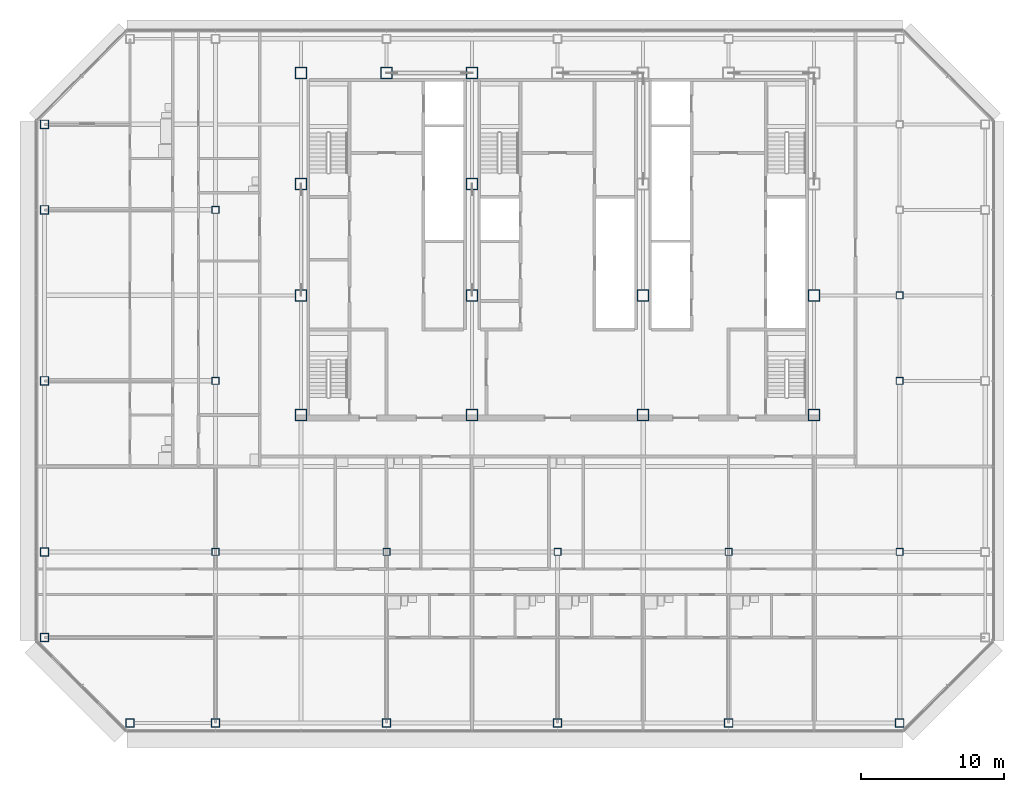
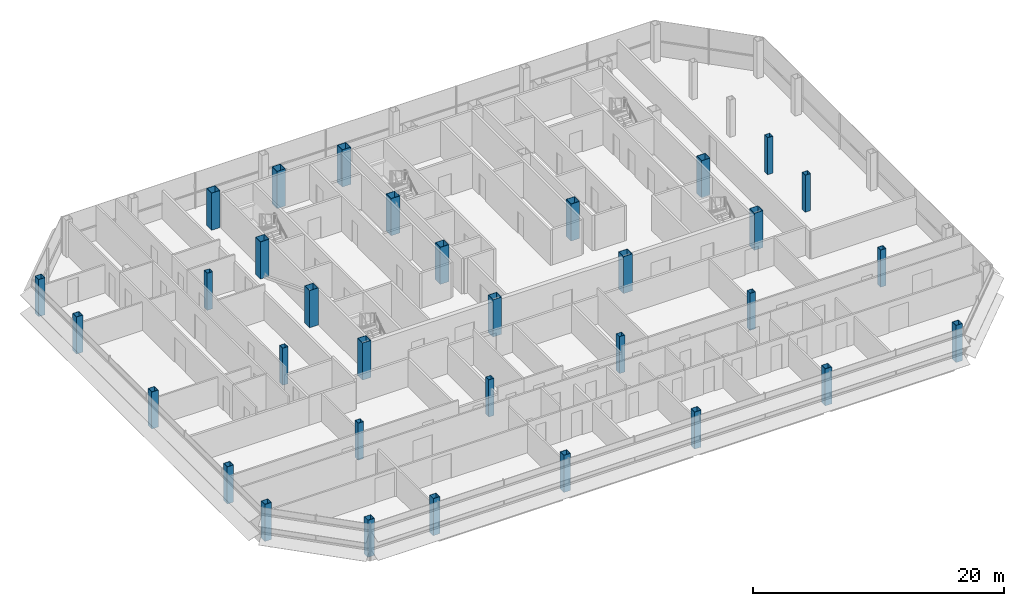
# One storey, part 1 of 28: 33 columns.
"""IFC4 building model written with IfcOpenShell, lengths in metres."""

from ifc_helpers import new_model, si_unit, direction, frame, origin, origin_2d, place, context, subcontext, project, spatial, hollow_rectangle, extrude, material, material_profile, profile_set, type_object, element, save


model = new_model("IFC4")

# Units and contexts
model_context = context("Model", 3, precision=1e-05, world=origin(), true_north=direction((0.0, 1.0)))
body_context = subcontext(model_context, "Body", "Model", "MODEL_VIEW")
ifc_project = project(units=[si_unit("LENGTHUNIT", "METRE"), si_unit("AREAUNIT", "SQUARE_METRE"), si_unit("VOLUMEUNIT", "CUBIC_METRE"), si_unit("PLANEANGLEUNIT", "RADIAN"), si_unit("MASSUNIT", "GRAM", prefix="KILO")], contexts=[model_context])

# Site, building, storey
site_placement = place(None, origin())
site = spatial("IfcSite", under=ifc_project, at=site_placement, CompositionType="ELEMENT")
building_placement = place(site_placement, origin())
building = spatial("IfcBuilding", under=site, at=building_placement, Name="Sorahane Residences", CompositionType="ELEMENT")
storey_placement = place(building_placement, frame((0.0, 0.0, 250.39990234375)))
storey = spatial("IfcBuildingStorey", under=building, at=storey_placement, Name="L59", CompositionType="ELEMENT", Elevation=250.39990234375)

# Columns
ifc_material_1 = material(Name="Steel Q355B", Category="steel")
ifc_material_profile_1 = material_profile(ifc_material_1, hollow_rectangle(XDim=0.5, YDim=0.5, WallThickness=0.02490234375, at=origin_2d()), Name="BOX 500x500x25")
ifc_profile_set_1 = profile_set([ifc_material_profile_1], Name="Steel Q355B")
column_type_1 = type_object("IfcColumnType", Name="Steel box column BOX 500x500x25 Q355B", PredefinedType="COLUMN", material=ifc_profile_set_1)
for number, where, z_axis, x_axis, name in (
    (1, (0.0, 12.0, 0.0), (0.0, 0.0, 1.0), (1.0, 0.0, 0.0), "Column L59 0/12"),
    (2, (0.0, 24.0, 0.0), (0.0, 0.0, 1.0), (1.0, 0.0, 0.0), "Column L59 0/24"),
    (3, (0.0, 36.0, 0.0), (0.0, 0.0, 1.0), (1.0, 0.0, 0.0), "Column L59 0/36"),
    (4, (12.0, 12.0, 0.0), (0.0, 0.0, 1.0), (1.0, 0.0, 0.0), "Column L59 12/12"),
    (5, (24.0, 12.0, 0.0), (0.0, 0.0, 1.0), (1.0, 0.0, 0.0), "Column L59 24/12"),
    (6, (36.0, 12.0, 0.0), (0.0, 0.0, 1.0), (1.0, 0.0, 0.0), "Column L59 36/12"),
    (7, (48.0, 12.0, 0.0), (0.0, 0.0, 1.0), (1.0, 0.0, 0.0), "Column L59 48/12"),
    (8, (48.0, 24.0, 0.0), (0.0, 0.0, 1.0), (1.0, 0.0, 0.0), "Column L59 48/24"),
    (9, (48.0, 30.0, 0.0), (0.0, 0.0, 1.0), (1.0, 0.0, 0.0), "Column L59 48/30"),
):
    element("IfcColumn", number, at=place(storey_placement, frame(where, z_axis=z_axis, x_axis=x_axis)), inside=storey, type_object=column_type_1, Name=name, PredefinedType="COLUMN", context=body_context, shape_type="SweptSolid", body=[
        extrude(hollow_rectangle(XDim=0.5, YDim=0.5, WallThickness=0.02490234375, at=origin_2d()), origin(), (0.0, 0.0, 1.0), 3.60009765625),
    ])
ifc_material_2 = material(Name="Steel Q355B", Category="steel")
ifc_material_profile_2 = material_profile(ifc_material_2, hollow_rectangle(XDim=0.60009765625, YDim=0.60009765625, WallThickness=0.028076171875, at=origin_2d()), Name="BOX 600x600x28")
ifc_profile_set_2 = profile_set([ifc_material_profile_2], Name="Steel Q355B")
column_type_2 = type_object("IfcColumnType", Name="Steel box column BOX 600x600x28 Q355B", PredefinedType="COLUMN", material=ifc_profile_set_2)
for number, where, z_axis, x_axis, name in (
    (10, (-12.0, 6.0, 0.0), (0.0, 0.0, 1.0), (1.0, 0.0, 0.0), "Column L59 m12/6"),
    (11, (-12.0, 12.0, 0.0), (0.0, 0.0, 1.0), (1.0, 0.0, 0.0), "Column L59 m12/12"),
    (12, (-12.0, 24.0, 0.0), (0.0, 0.0, 1.0), (1.0, 0.0, 0.0), "Column L59 m12/24"),
    (13, (-12.0, 36.0, 0.0), (0.0, 0.0, 1.0), (1.0, 0.0, 0.0), "Column L59 m12/36"),
    (14, (-12.0, 42.0, 0.0), (0.0, 0.0, 1.0), (1.0, 0.0, 0.0), "Column L59 m12/42"),
    (15, (-6.0, 0.0, 0.0), (0.0, 0.0, 1.0), (1.0, 0.0, 0.0), "Column L59 m6/0"),
    (16, (0.0, 0.0, 0.0), (0.0, 0.0, 1.0), (1.0, 0.0, 0.0), "Column L59 0/0"),
    (17, (12.0, 0.0, 0.0), (0.0, 0.0, 1.0), (1.0, 0.0, 0.0), "Column L59 12/0"),
    (18, (24.0, 0.0, 0.0), (0.0, 0.0, 1.0), (1.0, 0.0, 0.0), "Column L59 24/0"),
    (19, (36.0, 0.0, 0.0), (0.0, 0.0, 1.0), (1.0, 0.0, 0.0), "Column L59 36/0"),
    (20, (48.0, 0.0, 0.0), (0.0, 0.0, 1.0), (1.0, 0.0, 0.0), "Column L59 48/0"),
):
    element("IfcColumn", number, at=place(storey_placement, frame(where, z_axis=z_axis, x_axis=x_axis)), inside=storey, type_object=column_type_2, Name=name, PredefinedType="COLUMN", context=body_context, shape_type="SweptSolid", body=[
        extrude(hollow_rectangle(XDim=0.60009765625, YDim=0.60009765625, WallThickness=0.028076171875, at=origin_2d()), origin(), (0.0, 0.0, 1.0), 3.60009765625),
    ])
ifc_material_3 = material(Name="Steel Q355B", Category="steel")
ifc_material_profile_3 = material_profile(ifc_material_3, hollow_rectangle(XDim=0.800048828125, YDim=0.800048828125, WallThickness=0.031982421875, at=origin_2d()), Name="BOX 800x800x32")
ifc_profile_set_3 = profile_set([ifc_material_profile_3], Name="Steel Q355B")
column_type_3 = type_object("IfcColumnType", Name="Steel box column BOX 800x800x32 Q355B", PredefinedType="COLUMN", material=ifc_profile_set_3)
for number, where, z_axis, x_axis, name in (
    (21, (6.0, 21.60009765625, 0.0), (0.0, 0.0, 1.0), (1.0, 0.0, 0.0), "Column L59 6/21.6"),
    (22, (6.0, 30.0, 0.0), (0.0, 0.0, 1.0), (1.0, 0.0, 0.0), "Column L59 6/30"),
    (23, (6.0, 37.800048828125, 0.0), (0.0, 0.0, 1.0), (1.0, 0.0, 0.0), "Column L59 6/37.8"),
    (24, (6.0, 45.60009765625, 0.0), (0.0, 0.0, 1.0), (1.0, 0.0, 0.0), "Column L59 6/45.6"),
    (25, (12.0, 45.60009765625, 0.0), (0.0, 0.0, 1.0), (1.0, 0.0, 0.0), "Column L59 12/45.6"),
    (26, (18.0, 21.60009765625, 0.0), (0.0, 0.0, 1.0), (1.0, 0.0, 0.0), "Column L59 18/21.6"),
    (27, (18.0, 30.0, 0.0), (0.0, 0.0, 1.0), (1.0, 0.0, 0.0), "Column L59 18/30"),
    (28, (18.0, 37.800048828125, 0.0), (0.0, 0.0, 1.0), (1.0, 0.0, 0.0), "Column L59 18/37.8"),
    (29, (18.0, 45.60009765625, 0.0), (0.0, 0.0, 1.0), (1.0, 0.0, 0.0), "Column L59 18/45.6"),
    (30, (30.0, 21.60009765625, 0.0), (0.0, 0.0, 1.0), (1.0, 0.0, 0.0), "Column L59 30/21.6"),
    (31, (30.0, 30.0, 0.0), (0.0, 0.0, 1.0), (1.0, 0.0, 0.0), "Column L59 30/30"),
    (32, (42.0, 21.60009765625, 0.0), (0.0, 0.0, 1.0), (1.0, 0.0, 0.0), "Column L59 42/21.6"),
    (33, (42.0, 30.0, 0.0), (0.0, 0.0, 1.0), (1.0, 0.0, 0.0), "Column L59 42/30"),
):
    element("IfcColumn", number, at=place(storey_placement, frame(where, z_axis=z_axis, x_axis=x_axis)), inside=storey, type_object=column_type_3, Name=name, PredefinedType="COLUMN", context=body_context, shape_type="SweptSolid", body=[
        extrude(hollow_rectangle(XDim=0.800048828125, YDim=0.800048828125, WallThickness=0.031982421875, at=origin_2d()), origin(), (0.0, 0.0, 1.0), 3.60009765625),
    ])

save(model, "model.ifc")
